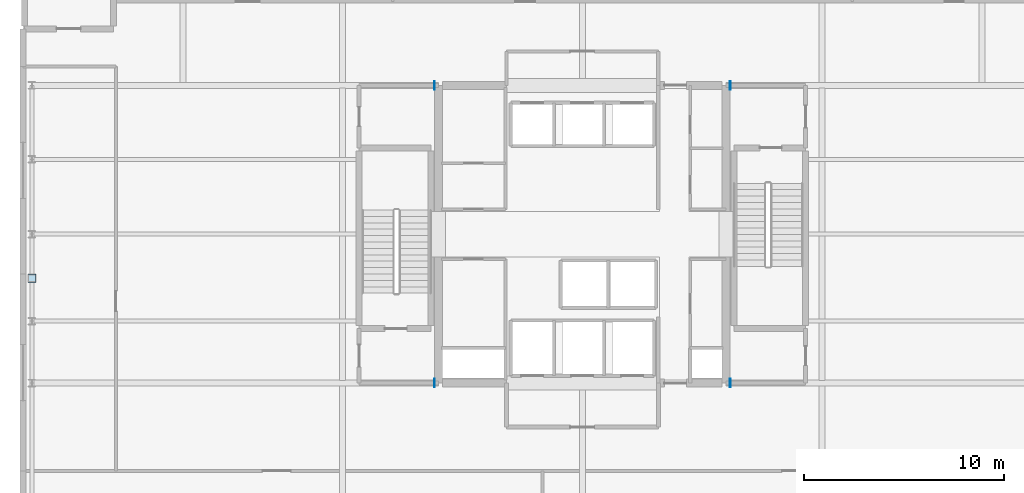
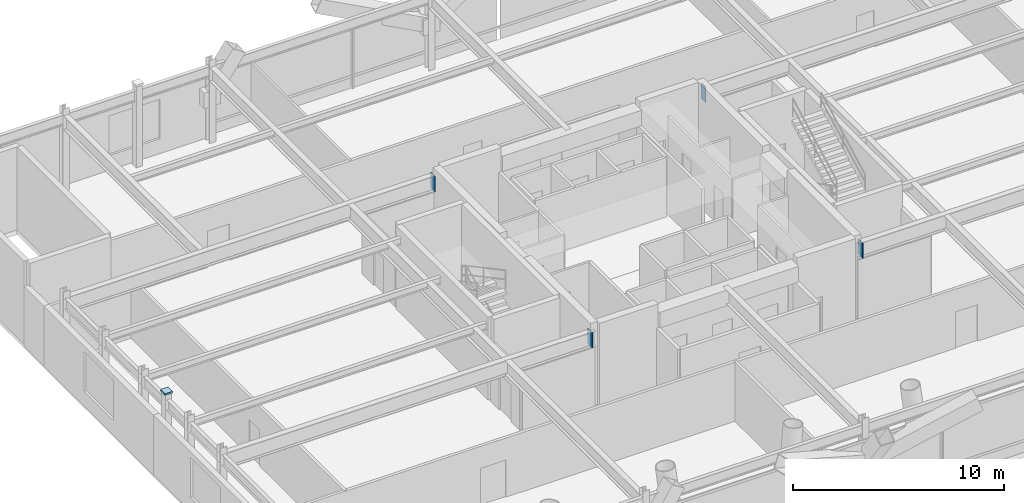
# One storey, part 14 of 21: 5 plates.
"""IFC4 building model written with IfcOpenShell, lengths in metres."""

import ifcopenshell
import ifcopenshell.guid

model = None  # the IFC model being written
_history = None  # IfcOwnerHistory: only IFC2X3 demands one
_inside = {}  # id of a spatial element -> (the spatial element, [elements in it])
_under = {}  # id of a project, library or spatial element -> (it, [spatial elements below it])
_declared = {}  # id of a project -> (the project, [libraries it declares])
_typed = {}  # id of a type object -> (the type object, [elements of that type])
_made_of = {}  # id of a material, layer set ... -> (it, [elements and type objects made of it])


def new_model(schema):
    """Start an empty IFC model of exactly this schema.

    Asked for "IFC4X3", IfcOpenShell would pick the latest addendum, in which some entities
    have other attributes; the version numbers below select the first issue.
    IFC2X3 requires an IfcOwnerHistory on every rooted entity: one is made here for all.
    """
    global model, _history
    if schema == "IFC4X3":
        model = ifcopenshell.file(schema_version=(4, 3, 0, 0))
    else:
        model = ifcopenshell.file(schema=schema)
    _inside.clear()
    _under.clear()
    _declared.clear()
    _typed.clear()
    _made_of.clear()
    _history = None
    if model.schema == "IFC2X3":
        org = make("IfcOrganization", Name="unknown")
        user = make(
            "IfcPersonAndOrganization",
            ThePerson=make("IfcPerson", FamilyName="unknown"),
            TheOrganization=org,
        )
        app = make(
            "IfcApplication",
            ApplicationDeveloper=org,
            Version="unknown",
            ApplicationFullName="unknown",
            ApplicationIdentifier="unknown",
        )
        _history = make(
            "IfcOwnerHistory",
            OwningUser=user,
            OwningApplication=app,
            ChangeAction="ADDED",
            CreationDate=0,
        )
    return model


def make(cls, **values):
    """One entity of the class cls with the attributes given. An attribute that is None is left unset."""
    return model.create_entity(
        cls, **{name: value for name, value in values.items() if value is not None}
    )


def rooted(cls, **values):
    """An entity with a GlobalId (a new one), such as an element, a storey or a relation."""
    return make(cls, GlobalId=ifcopenshell.guid.new(), OwnerHistory=_history, **values)


def si_unit(unit_type, name, prefix=None):
    """IfcSIUnit, for example si_unit("LENGTHUNIT", "METRE", prefix="MILLI")."""
    return make("IfcSIUnit", UnitType=unit_type, Prefix=prefix, Name=name)


def assignment(units):
    """IfcUnitAssignment: the units of a project."""
    return None if units is None else make("IfcUnitAssignment", Units=units)


def point(xyz):
    """IfcCartesianPoint."""
    return None if xyz is None else make("IfcCartesianPoint", Coordinates=xyz)


def direction(xyz):
    """IfcDirection."""
    return None if xyz is None else make("IfcDirection", DirectionRatios=xyz)


def frame(location, z_axis=None, x_axis=None):
    """IfcAxis2Placement3D, a coordinate frame: its origin and axes. An axis left out is left unset."""
    return make(
        "IfcAxis2Placement3D",
        Location=point(location),
        Axis=direction(z_axis),
        RefDirection=direction(x_axis),
    )


def frame_2d(location, x_axis=None):
    """IfcAxis2Placement2D, a coordinate frame in the plane: its origin and x axis."""
    return make(
        "IfcAxis2Placement2D", Location=point(location), RefDirection=direction(x_axis)
    )


def origin():
    """The frame at (0, 0, 0) with its axes left unset."""
    return frame((0.0, 0.0, 0.0))


def origin_2d():
    """The frame at (0, 0) in the plane with its x axis left unset."""
    return frame_2d((0.0, 0.0))


def place(relative_to, where):
    """IfcLocalPlacement: puts the frame where relative to a parent placement (None: the world)."""
    return make(
        "IfcLocalPlacement", PlacementRelTo=relative_to, RelativePlacement=where
    )


def context(
    kind, dimensions, precision=None, world=None, true_north=None, identifier=None
):
    """IfcGeometricRepresentationContext, for example the 3D "Model" context."""
    return make(
        "IfcGeometricRepresentationContext",
        ContextIdentifier=identifier,
        ContextType=kind,
        CoordinateSpaceDimension=dimensions,
        Precision=precision,
        WorldCoordinateSystem=world,
        TrueNorth=true_north,
    )


def subcontext(parent, identifier, kind, view, scale=None):
    """IfcGeometricRepresentationSubContext, for example "Body" below "Model"."""
    return make(
        "IfcGeometricRepresentationSubContext",
        ContextIdentifier=identifier,
        ContextType=kind,
        ParentContext=parent,
        TargetScale=scale,
        TargetView=view,
    )


def project(units=None, contexts=None):
    """IfcProject with its units and contexts."""
    return rooted(
        "IfcProject",
        Name="project",
        RepresentationContexts=contexts,
        UnitsInContext=assignment(units),
    )


def spatial(cls, under=None, at=None, **own):
    """A site, building, storey or space (cls), placed at a placement, below another one or the project."""
    s = rooted(cls, ObjectPlacement=at, **own)
    if under is not None:
        _under.setdefault(under.id(), (under, []))[1].append(s)
    return s


def profile(cls, at=None, kind="AREA", **sizes):
    """A parametric profile (cls). Its sizes go by their IFC names, for example OverallWidth=200.0."""
    return make(cls, ProfileType=kind, Position=at, **sizes)


def rectangle(**sizes):
    """IfcRectangleProfileDef."""
    return profile("IfcRectangleProfileDef", **sizes)


def extrude(swept, where, along, depth):
    """IfcExtrudedAreaSolid: the profile swept, set in the frame where, extruded along a direction by depth."""
    return make(
        "IfcExtrudedAreaSolid",
        SweptArea=swept,
        Position=where,
        ExtrudedDirection=direction(along),
        Depth=depth,
    )


def shape(context_of_items, identifier, shape_type, items):
    """IfcShapeRepresentation: the items that make up one representation, for example the "Body"."""
    return make(
        "IfcShapeRepresentation",
        ContextOfItems=context_of_items,
        RepresentationIdentifier=identifier,
        RepresentationType=shape_type,
        Items=items,
    )


def material(Name=None, Category=None):
    """IfcMaterial."""
    return make("IfcMaterial", Name=Name, Category=Category)


def layer(
    of_material, thickness, ventilated=None, Name=None, Category=None, Priority=None
):
    """IfcMaterialLayer: one layer of a wall or slab, of a material (None: an air gap)."""
    return make(
        "IfcMaterialLayer",
        Material=of_material,
        LayerThickness=thickness,
        IsVentilated=ventilated,
        Name=Name,
        Category=Category,
        Priority=Priority,
    )


def layer_set(layers, Name=None):
    """IfcMaterialLayerSet."""
    return make("IfcMaterialLayerSet", MaterialLayers=layers, LayerSetName=Name)


def made_of(thing, what):
    """Note that an element or type object is made of a material, layer set ...; save() writes the relation."""
    if what is not None:
        _made_of.setdefault(what.id(), (what, []))[1].append(thing)
    return thing


def type_object(cls, material=None, **own):
    """A type object (cls), such as IfcWallType, which elements share."""
    return made_of(rooted(cls, **own), material)


def element(
    cls,
    number,
    at=None,
    inside=None,
    cuts=None,
    type_object=None,
    material=None,
    context=None,
    identifier="Body",
    shape_type=None,
    held_by="IfcProductDefinitionShape",
    body=None,
    shapes=None,
    **own,
):
    """One element of the class cls, such as IfcWall. Its Tag is "e" and its number.

    at: its placement. inside: the storey or other place that contains it. cuts: it is an
    opening in that element (IfcRelVoidsElement). A single representation is given by context,
    identifier, shape_type and body (its items); several are given by shapes. held_by: the class
    of the entity that holds the representations. save() writes the other relations.
    """
    e = rooted(cls, Tag="e%d" % number, ObjectPlacement=at, **own)
    if body is not None:
        shapes = [shape(context, identifier, shape_type, body)]
    if shapes is not None:
        e.Representation = make(held_by, Representations=shapes)
    if inside is not None:
        _inside.setdefault(inside.id(), (inside, []))[1].append(e)
    if cuts is not None:
        rooted(
            "IfcRelVoidsElement", RelatingBuildingElement=cuts, RelatedOpeningElement=e
        )
    if type_object is not None:
        _typed.setdefault(type_object.id(), (type_object, []))[1].append(e)
    return made_of(e, material)


def aggregate(whole, parts):
    """IfcRelAggregates: a whole, such as a stair, and the parts it consists of."""
    return rooted("IfcRelAggregates", RelatingObject=whole, RelatedObjects=parts)


def save(model, path):
    """Write the relations noted so far, then the file.

    IfcRelAggregates (storeys below a building ...), IfcRelContainedInSpatialStructure (elements
    in a storey), IfcRelDefinesByType, IfcRelAssociatesMaterial and IfcRelDeclares: one each for
    every whole, place, type object, material and project.
    """
    for whole, parts in _under.values():
        aggregate(whole, parts)
    for where, things in _inside.values():
        rooted(
            "IfcRelContainedInSpatialStructure",
            RelatedElements=things,
            RelatingStructure=where,
        )
    for kind, things in _typed.values():
        rooted("IfcRelDefinesByType", RelatedObjects=things, RelatingType=kind)
    for what, things in _made_of.values():
        rooted("IfcRelAssociatesMaterial", RelatedObjects=things, RelatingMaterial=what)
    for by, libraries in _declared.values():
        rooted("IfcRelDeclares", RelatingContext=by, RelatedDefinitions=libraries)
    model.write(path)


model = new_model("IFC4")

# Units and contexts
model_context = context("Model", 3, precision=1e-05, world=origin(), true_north=direction((0.0, 1.0)))
body_context = subcontext(model_context, "Body", "Model", "MODEL_VIEW")
ifc_project = project(units=[si_unit("LENGTHUNIT", "METRE"), si_unit("AREAUNIT", "SQUARE_METRE"), si_unit("VOLUMEUNIT", "CUBIC_METRE"), si_unit("PLANEANGLEUNIT", "RADIAN"), si_unit("MASSUNIT", "GRAM", prefix="KILO")], contexts=[model_context])

# Site, building, storey
site_placement = place(None, origin())
site = spatial("IfcSite", under=ifc_project, at=site_placement, CompositionType="ELEMENT")
building_placement = place(site_placement, origin())
building = spatial("IfcBuilding", under=site, at=building_placement, Name="Veldorina Hangang Commons", CompositionType="ELEMENT")
storey_placement = place(building_placement, frame((0.0, 0.0, 19.60009765625)))
storey = spatial("IfcBuildingStorey", under=building, at=storey_placement, Name="L04", CompositionType="ELEMENT", Elevation=19.60009765625)

# Plates
ifc_material = material(Name="Steel SM490-TMC", Category="steel")
ifc_layer = layer(ifc_material, 0.044921875)
ifc_layer_set = layer_set([ifc_layer], Name="Steel SM490-TMC")
plate_type = type_object("IfcPlateType", Name="PL-NODE-45", PredefinedType="SHEET", material=ifc_layer_set)
plate_placement = place(storey_placement, frame((4.449951171875, 21.800048828125, 4.7099609375), z_axis=(0.0, 0.0, 1.0), x_axis=(1.0, 0.0, 0.0)))
element("IfcPlate", 1, at=plate_placement, inside=storey, type_object=plate_type, Name="L04 pilaster 3 cap plate", PredefinedType="SHEET", context=body_context, shape_type="SweptSolid", body=[
    extrude(rectangle(XDim=0.419921875, YDim=0.419921875, at=origin_2d()), origin(), (0.0, 0.0, 1.0), 0.10009765625),
])
for number, where, z_axis, x_axis, name in (
    (2, (24.60009765625, 16.550048828125, 3.510009765625), (0.0, 0.0, 1.0), (1.0, 0.0, 0.0), "L04 west collector girder GD core embed plate"),
    (3, (39.39990234375, 16.550048828125, 3.510009765625), (0.0, 0.0, 1.0), (1.0, 0.0, 0.0), "L04 east collector girder GD core embed plate"),
    (4, (24.60009765625, 31.449951171875, 3.510009765625), (0.0, 0.0, 1.0), (1.0, 0.0, 0.0), "L04 west collector girder GF core embed plate"),
    (5, (39.39990234375, 31.449951171875, 3.510009765625), (0.0, 0.0, 1.0), (1.0, 0.0, 0.0), "L04 east collector girder GF core embed plate"),
):
    element("IfcPlate", number, at=place(storey_placement, frame(where, z_axis=z_axis, x_axis=x_axis)), inside=storey, type_object=plate_type, Name=name, PredefinedType="SHEET", context=body_context, shape_type="SweptSolid", body=[
        extrude(rectangle(XDim=0.044921875, YDim=0.419921875, at=origin_2d()), origin(), (0.0, 0.0, 1.0), 0.8798828125),
    ])

save(model, "model.ifc")
